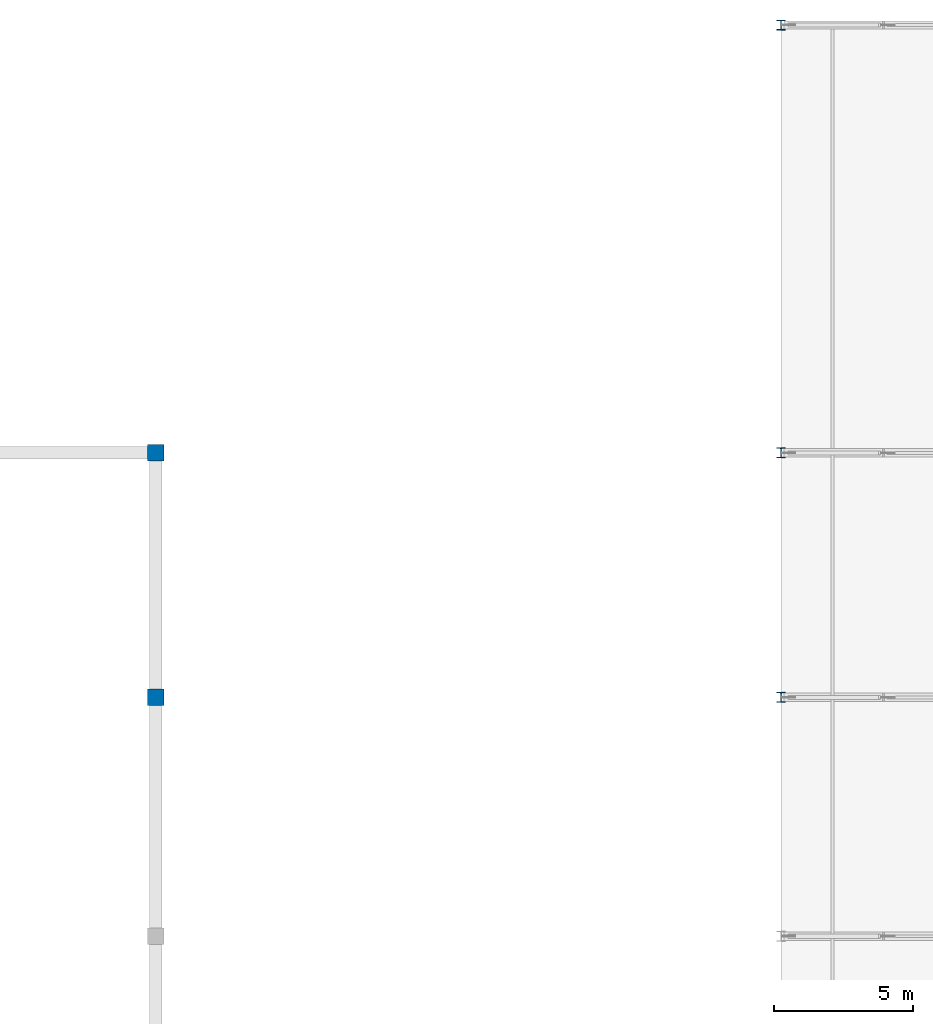
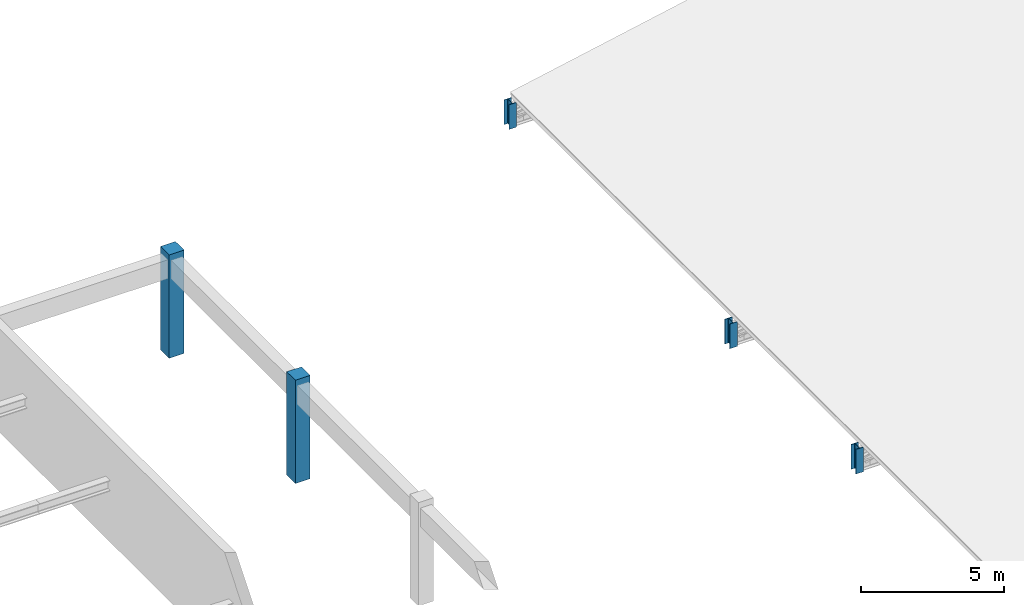
# One storey, part 5 of 47: 5 columns.
"""IFC4 building model written with IfcOpenShell, lengths in metres."""

from ifc_helpers import new_model, si_unit, direction, frame, origin, origin_2d, place, context, subcontext, project, spatial, rectangle, i_section, extrude, material, material_profile, profile_set, type_object, element, save


model = new_model("IFC4")

# Units and contexts
model_context = context("Model", 3, precision=1e-05, world=origin(), true_north=direction((0.0, 1.0)))
body_context = subcontext(model_context, "Body", "Model", "MODEL_VIEW")
ifc_project = project(units=[si_unit("LENGTHUNIT", "METRE"), si_unit("AREAUNIT", "SQUARE_METRE"), si_unit("VOLUMEUNIT", "CUBIC_METRE"), si_unit("PLANEANGLEUNIT", "RADIAN"), si_unit("MASSUNIT", "GRAM", prefix="KILO")], contexts=[model_context])

# Site, building, storey
site_placement = place(None, origin())
site = spatial("IfcSite", under=ifc_project, at=site_placement, CompositionType="ELEMENT")
building_placement = place(site_placement, origin())
building = spatial("IfcBuilding", under=site, at=building_placement, Name="Muzn Square Opera House", CompositionType="ELEMENT")
storey_placement = place(building_placement, frame((0.0, 0.0, 31.0)))
storey = spatial("IfcBuildingStorey", under=building, at=storey_placement, Name="RF-1", CompositionType="ELEMENT", Elevation=31.0)

# Columns
ifc_material_1 = material(Name="Concrete C45/55", Category="concrete")
ifc_material_profile_1 = material_profile(ifc_material_1, rectangle(XDim=0.60009765625, YDim=0.60009765625, at=origin_2d()), Name="RC 600x600", Category="concrete")
ifc_profile_set_1 = profile_set([ifc_material_profile_1], Name="Concrete C45/55")
column_type_1 = type_object("IfcColumnType", Name="Frame Column 600x600", PredefinedType="COLUMN", material=ifc_profile_set_1)
for number, where, z_axis, x_axis, name in (
    (1, (110.5, 89.800048828125, 0.0), (0.0, 0.0, 1.0), (1.0, 0.0, 0.0), "Column COL-RF1-COL-600-1105_898"),
    (2, (110.5, 98.60009765625, 0.0), (0.0, 0.0, 1.0), (1.0, 0.0, 0.0), "Column COL-RF1-COL-600-1105_986"),
):
    element("IfcColumn", number, at=place(storey_placement, frame(where, z_axis=z_axis, x_axis=x_axis)), inside=storey, type_object=column_type_1, Name=name, PredefinedType="COLUMN", context=body_context, shape_type="SweptSolid", body=[
        extrude(rectangle(XDim=0.60009765625, YDim=0.60009765625, at=origin_2d()), origin(), (0.0, 0.0, 1.0), 4.39990234375),
    ])
ifc_material_2 = material(Name="Steel S355", Category="steel")
ifc_material_profile_2 = material_profile(ifc_material_2, i_section(OverallWidth=0.300048828125, OverallDepth=0.360107421875, WebThickness=0.012451171875, FlangeThickness=0.0224609375, FilletRadius=0.027099609375, at=origin_2d()), Name="HEB 360", Category="steel")
ifc_profile_set_2 = profile_set([ifc_material_profile_2], Name="Steel S355")
column_type_2 = type_object("IfcColumnType", Name="Steel Gallery Column HEB360", PredefinedType="COLUMN", material=ifc_profile_set_2)
for number, where, z_axis, x_axis, name in (
    (3, (133.0, 89.800048828125, -7.60009765625), (0.0, 0.0, 1.0), (1.0, 0.0, 0.0), "Rehearsal Roof Truss Eave Pedestal T3-W"),
    (4, (133.0, 98.60009765625, -7.60009765625), (0.0, 0.0, 1.0), (1.0, 0.0, 0.0), "Rehearsal Roof Truss Eave Pedestal T4-W"),
    (5, (133.0, 114.0, -7.60009765625), (0.0, 0.0, 1.0), (1.0, 0.0, 0.0), "Rehearsal Roof Truss Eave Pedestal T5-W"),
):
    element("IfcColumn", number, at=place(storey_placement, frame(where, z_axis=z_axis, x_axis=x_axis)), inside=storey, type_object=column_type_2, Name=name, PredefinedType="COLUMN", context=body_context, shape_type="SweptSolid", body=[
        extrude(i_section(OverallWidth=0.300048828125, OverallDepth=0.360107421875, WebThickness=0.012451171875, FlangeThickness=0.0224609375, FilletRadius=0.027099609375, at=origin_2d()), origin(), (0.0, 0.0, 1.0), 1.050048828125),
    ])

save(model, "model.ifc")
